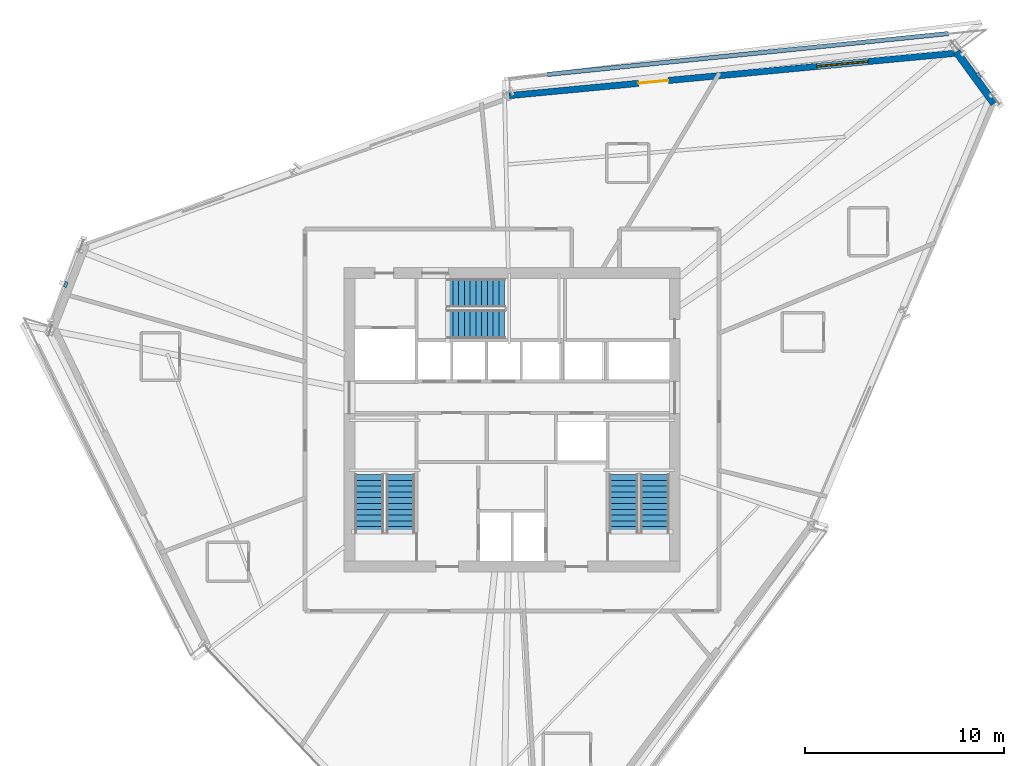
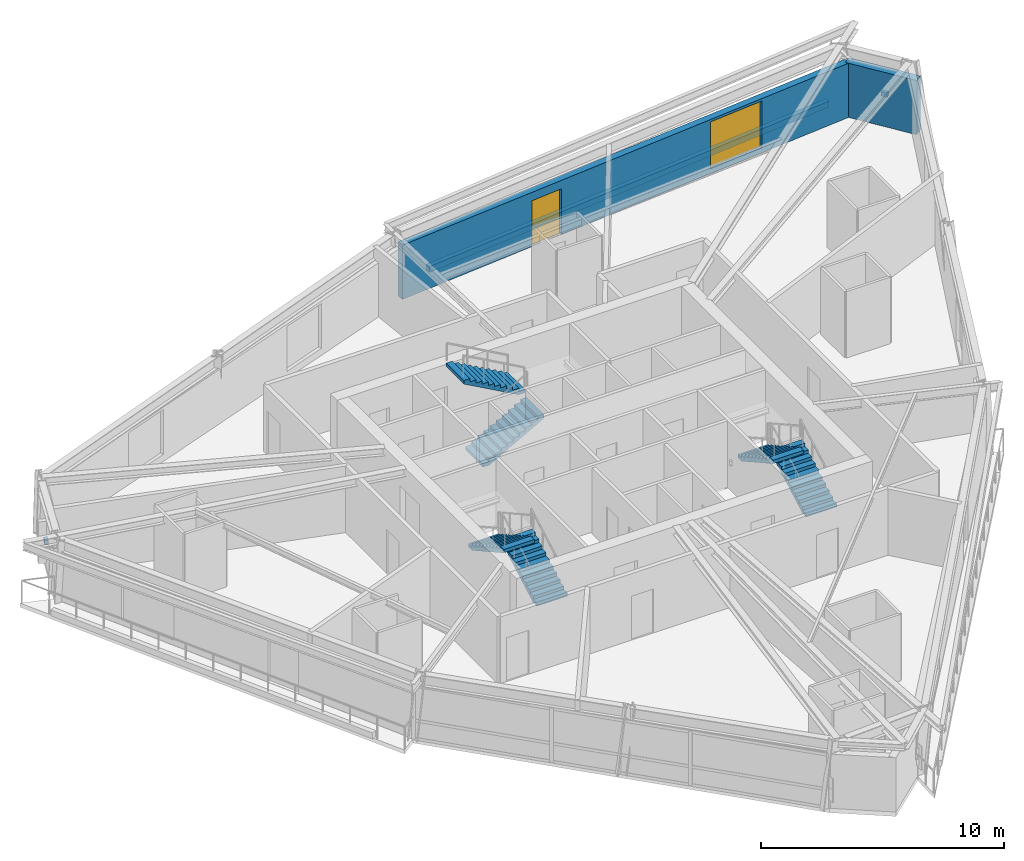
# One storey, part 11 of 14: 6 stair flights, 3 walls, 2 discrete accessories, 1 door, 1 window, 2 openings, 3 elements without a shape of their own.
"""IFC4 building model written with IfcOpenShell, lengths in metres."""

from ifc_helpers import new_model, si_unit, direction, frame, frame_2d, origin, origin_2d, place, context, subcontext, project, spatial, polyline, rectangle, outline, extrude, source, transform, mapped, material, layer, layer_set, type_object, type_shapes, element, fill, aggregate, save


model = new_model("IFC4")

# Units and contexts
model_context = context("Model", 3, precision=1e-05, world=origin(), true_north=direction((0.0, 1.0)))
body_context = subcontext(model_context, "Body", "Model", "MODEL_VIEW")
ifc_project = project(units=[si_unit("LENGTHUNIT", "METRE"), si_unit("AREAUNIT", "SQUARE_METRE"), si_unit("VOLUMEUNIT", "CUBIC_METRE"), si_unit("PLANEANGLEUNIT", "RADIAN"), si_unit("MASSUNIT", "GRAM", prefix="KILO")], contexts=[model_context])

# Site, building, storey
site_placement = place(None, origin())
site = spatial("IfcSite", under=ifc_project, at=site_placement, CompositionType="ELEMENT")
building_placement = place(site_placement, origin())
building = spatial("IfcBuilding", under=site, at=building_placement, Name="Olszyna Solenne Hotel", CompositionType="ELEMENT")
storey_placement = place(building_placement, frame((0.0, 0.0, 182.10009765625)))
storey = spatial("IfcBuildingStorey", under=building, at=storey_placement, Name="L48", CompositionType="ELEMENT", Elevation=182.10009765625)

# Wall, openings, door, window
ifc_material_1 = material(Name="Precast concrete C45/55", Category="concrete")
ifc_layer_1 = layer(ifc_material_1, 0.320068359375, Name="Precast concrete C45/55")
ifc_layer_set_1 = layer_set([ifc_layer_1], Name="Precast concrete C45/55")
wall_type_1 = type_object("IfcWallType", Name="WL-EX320", PredefinedType="SOLIDWALL", material=ifc_layer_set_1)
wall_1_placement = place(storey_placement, frame((37.856689453125, 42.898193359375, 0.0), z_axis=(0.0, 0.0, 1.0), x_axis=(0.995520332202, 0.094547703155, 0.0)))
wall_1 = element("IfcWall", 1, at=wall_1_placement, inside=storey, type_object=wall_type_1, Name="Exterior terracotta-precast frame wall WL-EX320 EW-L48-08", PredefinedType="SOLIDWALL", context=body_context, shape_type="SweptSolid", body=[
    extrude(rectangle(XDim=22.743896484375, YDim=0.320068359375, at=frame_2d((11.3720703125, 0.0))), origin(), (0.0, 0.0, 1.0), 2.721923828125),
])
opening_1_placement = place(wall_1_placement, frame((6.528076171875, 0.0, 0.0)))
opening_1 = element("IfcOpeningElement", 2, at=opening_1_placement, cuts=wall_1, Name="Opening LDG-L48-1", PredefinedType="OPENING", context=body_context, shape_type="SweptSolid", body=[
    extrude(rectangle(XDim=1.5, YDim=2.300048828125, at=frame_2d((0.75, 1.14990234375))), frame((0.0, 0.169921875, 0.0), z_axis=(0.0, -1.0, 0.0), x_axis=(1.0, 0.0, 0.0)), (0.0, 0.0, 1.0), 0.340087890625),
])
opening_2_placement = place(wall_1_placement, frame((15.531005859375, 0.0, 0.251953125)))
opening_2 = element("IfcOpeningElement", 3, at=opening_2_placement, cuts=wall_1, Name="Opening WN-L48-305", PredefinedType="OPENING", context=body_context, shape_type="SweptSolid", body=[
    extrude(rectangle(XDim=2.60009765625, YDim=2.35009765625, at=frame_2d((1.300048828125, 1.175048828125))), frame((0.0, 0.169921875, 0.0), z_axis=(0.0, -1.0, 0.0), x_axis=(1.0, 0.0, 0.0)), (0.0, 0.0, 1.0), 0.340087890625),
])
ifc_material_2 = material(Name="Anodised bronze aluminium", Category="aluminium")
door_type = type_object("IfcDoorType", Name="DR-LG2", OperationType="DOUBLE_DOOR_SINGLE_SWING", PredefinedType="DOOR", material=ifc_material_2)
shared_shape_1 = source(origin(), body_context, "Body", "SweptSolid", [
    extrude(rectangle(XDim=1.5, YDim=2.300048828125, at=frame_2d((0.75, 1.14990234375))), frame((0.0, 0.02490234375, 0.0), z_axis=(0.0, -1.0, 0.0), x_axis=(1.0, 0.0, 0.0)), (0.0, 0.0, 1.0), 0.050048828125),
])
type_shapes(door_type, [shared_shape_1])
door_placement = place(opening_1_placement, origin())
door = element("IfcDoor", 4, at=door_placement, inside=storey, type_object=door_type, Name="Exterior loggia balcony door DR-LG2 LDG-L48-1", OperationType="DOUBLE_DOOR_SINGLE_SWING", OverallHeight=2.300048828125, OverallWidth=1.5, PredefinedType="DOOR", context=body_context, shape_type="MappedRepresentation", body=[
    mapped(shared_shape_1, transform((0.0, 0.0, 0.0), x_axis=(1.0, 0.0, 0.0), y_axis=(0.0, 1.0, 0.0), z_axis=(0.0, 0.0, 1.0), scale=1.0)),
])
fill(opening_1, door)
ifc_material_3 = material(Name="Low-E triple glazing", Category="glass")
window_type = type_object("IfcWindowType", Name="WN-ST1", PartitioningType="SINGLE_PANEL", PredefinedType="WINDOW", material=ifc_material_3)
shared_shape_2 = source(origin(), body_context, "Body", "SweptSolid", [
    extrude(rectangle(XDim=2.60009765625, YDim=2.35009765625, at=frame_2d((1.300048828125, 1.175048828125))), frame((0.0, 0.030029296875, 0.0), z_axis=(0.0, -1.0, 0.0), x_axis=(1.0, 0.0, 0.0)), (0.0, 0.0, 1.0), 0.06005859375),
])
type_shapes(window_type, [shared_shape_2])
window_placement = place(opening_2_placement, origin())
window = element("IfcWindow", 5, at=window_placement, inside=storey, type_object=window_type, Name="Loggia room window WN-ST1 WN-L48-305", OverallHeight=2.35009765625, OverallWidth=2.60009765625, PartitioningType="SINGLE_PANEL", PredefinedType="WINDOW", context=body_context, shape_type="MappedRepresentation", body=[
    mapped(shared_shape_2, transform((0.0, 0.0, 0.0), x_axis=(1.0, 0.0, 0.0), y_axis=(0.0, 1.0, 0.0), z_axis=(0.0, 0.0, 1.0), scale=1.0)),
])
fill(opening_2, window)

# Walls
ifc_material_4 = material(Name="Terracotta cladding on precast concrete C45/55", Category="masonry")
ifc_layer_2 = layer(ifc_material_4, 0.3798828125, Name="Terracotta cladding on precast concrete C45/55")
ifc_layer_set_2 = layer_set([ifc_layer_2], Name="Terracotta cladding on precast concrete C45/55")
wall_type_2 = type_object("IfcWallType", Name="WL-EX380", PredefinedType="SOLIDWALL", material=ifc_layer_set_2)
wall_2_placement = place(storey_placement, frame((60.330322265625, 45.095947265625, 0.0), z_axis=(0.0, 0.0, 1.0), x_axis=(0.589877559106, -0.807492702917, 0.0)))
element("IfcWall", 6, at=wall_2_placement, inside=storey, type_object=wall_type_2, Name="Exterior terracotta-precast frame wall WL-EX380 EW-L48-09", PredefinedType="SOLIDWALL", context=body_context, shape_type="SweptSolid", body=[
    extrude(rectangle(XDim=3.214111328125, YDim=0.3798828125, at=frame_2d((1.60693359375, 0.0))), origin(), (0.0, 0.0, 1.0), 2.721923828125),
])
ifc_layer_3 = layer(ifc_material_1, 0.219970703125, Name="Precast concrete C45/55")
ifc_layer_set_3 = layer_set([ifc_layer_3], Name="Precast concrete C45/55")
wall_type_3 = type_object("IfcWallType", Name="WL-PR220", PredefinedType="PARAPET", material=ifc_layer_set_3)
wall_3_placement = place(storey_placement, frame((59.926513671875, 46.016845703125, 0.0), z_axis=(0.0, 0.0, 1.0), x_axis=(-0.994838142645, -0.101474479251, 0.0)))
element("IfcWall", 7, at=wall_3_placement, inside=storey, type_object=wall_type_3, Name="Loggia balcony precast kerb PR-L48-LG1", PredefinedType="PARAPET", context=body_context, shape_type="SweptSolid", body=[
    extrude(rectangle(XDim=20.248291015625, YDim=0.219970703125, at=frame_2d((10.1240234375, 0.0))), origin(), (0.0, 0.0, 1.0), 0.2998046875),
])

# Stair, stair flights
ifc_material_5 = material(Name="Concrete C40/50", Category="concrete")
stair_type = type_object("IfcStairType", Name="STR-C1", PredefinedType="TWO_QUARTER_WINDING_STAIR", material=ifc_material_5)
stair_1_placement = place(storey_placement, origin())
stair_1 = element("IfcStair", 8, at=stair_1_placement, inside=storey, type_object=stair_type, Name="L48 ST1", PredefinedType="TWO_QUARTER_WINDING_STAIR")
stair_flight_type = type_object("IfcStairFlightType", Name="FLT-C1", PredefinedType="STRAIGHT", material=ifc_material_5)
stair_flight_1_placement = place(storey_placement, frame((32.39501953125, 20.949951171875, 0.0), z_axis=(0.0, 0.0, 1.0), x_axis=(0.0, 1.0, 0.0)))
stair_flight_1 = element("IfcStairFlight", 9, at=stair_flight_1_placement, type_object=stair_flight_type, Name="ST1 flight 1", NumberOfRisers=11, NumberOfTreads=10, PredefinedType="STRAIGHT", RiserHeight=0.161363636, TreadLength=0.29, context=body_context, shape_type="SweptSolid", body=[
    extrude(outline(polyline([(0.0, 0.0), (0.0, 0.161376953125), (0.2900390625, 0.161376953125), (0.2900390625, 0.32275390625), (0.580078125, 0.32275390625), (0.580078125, 0.484130859375), (0.8701171875, 0.484130859375), (0.8701171875, 0.6455078125), (1.159912109375, 0.6455078125), (1.159912109375, 0.806884765625), (1.449951171875, 0.806884765625), (1.449951171875, 0.96826171875), (1.739990234375, 0.96826171875), (1.739990234375, 1.129638671875), (2.030029296875, 1.129638671875), (2.030029296875, 1.291015625), (2.320068359375, 1.291015625), (2.320068359375, 1.452392578125), (2.610107421875, 1.452392578125), (2.610107421875, 1.613525390625), (2.89990234375, 1.613525390625), (2.89990234375, 1.77490234375), (2.89990234375, 1.442138671875), (0.308349609375, 0.0), (0.0, 0.0)])), frame((0.0, 0.72509765625, 0.0), z_axis=(0.0, -1.0, 0.0), x_axis=(1.0, 0.0, 0.0)), (0.0, 0.0, 1.0), 1.449951171875),
])
stair_flight_2_placement = place(storey_placement, frame((30.824951171875, 23.85009765625, 1.77490234375), z_axis=(0.0, 0.0, 1.0), x_axis=(0.0, -1.0, 0.0)))
stair_flight_2 = element("IfcStairFlight", 10, at=stair_flight_2_placement, type_object=stair_flight_type, Name="ST1 flight 2", NumberOfRisers=11, NumberOfTreads=10, PredefinedType="STRAIGHT", RiserHeight=0.161363636, TreadLength=0.29, context=body_context, shape_type="SweptSolid", body=[
    extrude(outline(polyline([(0.0, 0.0), (0.0, 0.161376953125), (0.2900390625, 0.161376953125), (0.2900390625, 0.32275390625), (0.580078125, 0.32275390625), (0.580078125, 0.484130859375), (0.8701171875, 0.484130859375), (0.8701171875, 0.6455078125), (1.159912109375, 0.6455078125), (1.159912109375, 0.806884765625), (1.449951171875, 0.806884765625), (1.449951171875, 0.96826171875), (1.739990234375, 0.96826171875), (1.739990234375, 1.129638671875), (2.030029296875, 1.129638671875), (2.030029296875, 1.291015625), (2.320068359375, 1.291015625), (2.320068359375, 1.452392578125), (2.610107421875, 1.452392578125), (2.610107421875, 1.613525390625), (2.89990234375, 1.613525390625), (2.89990234375, 1.77490234375), (2.89990234375, 1.442138671875), (0.308349609375, 0.0), (0.0, 0.0)])), frame((0.0, 0.72509765625, 0.0), z_axis=(0.0, -1.0, 0.0), x_axis=(1.0, 0.0, 0.0)), (0.0, 0.0, 1.0), 1.449951171875),
])
aggregate(stair_1, [stair_flight_1, stair_flight_2])

stair_2_placement = place(storey_placement, origin())
stair_2 = element("IfcStair", 11, at=stair_2_placement, inside=storey, type_object=stair_type, Name="L48 ST2", PredefinedType="TWO_QUARTER_WINDING_STAIR")
stair_flight_3_placement = place(storey_placement, frame((45.175048828125, 20.949951171875, 0.0), z_axis=(0.0, 0.0, 1.0), x_axis=(0.0, 1.0, 0.0)))
stair_flight_3 = element("IfcStairFlight", 12, at=stair_flight_3_placement, type_object=stair_flight_type, Name="ST2 flight 1", NumberOfRisers=11, NumberOfTreads=10, PredefinedType="STRAIGHT", RiserHeight=0.161363636, TreadLength=0.29, context=body_context, shape_type="SweptSolid", body=[
    extrude(outline(polyline([(0.0, 0.0), (0.0, 0.161376953125), (0.2900390625, 0.161376953125), (0.2900390625, 0.32275390625), (0.580078125, 0.32275390625), (0.580078125, 0.484130859375), (0.8701171875, 0.484130859375), (0.8701171875, 0.6455078125), (1.159912109375, 0.6455078125), (1.159912109375, 0.806884765625), (1.449951171875, 0.806884765625), (1.449951171875, 0.96826171875), (1.739990234375, 0.96826171875), (1.739990234375, 1.129638671875), (2.030029296875, 1.129638671875), (2.030029296875, 1.291015625), (2.320068359375, 1.291015625), (2.320068359375, 1.452392578125), (2.610107421875, 1.452392578125), (2.610107421875, 1.613525390625), (2.89990234375, 1.613525390625), (2.89990234375, 1.77490234375), (2.89990234375, 1.442138671875), (0.308349609375, 0.0), (0.0, 0.0)])), frame((0.0, 0.72509765625, 0.0), z_axis=(0.0, -1.0, 0.0), x_axis=(1.0, 0.0, 0.0)), (0.0, 0.0, 1.0), 1.449951171875),
])
stair_flight_4_placement = place(storey_placement, frame((43.60498046875, 23.85009765625, 1.77490234375), z_axis=(0.0, 0.0, 1.0), x_axis=(0.0, -1.0, 0.0)))
stair_flight_4 = element("IfcStairFlight", 13, at=stair_flight_4_placement, type_object=stair_flight_type, Name="ST2 flight 2", NumberOfRisers=11, NumberOfTreads=10, PredefinedType="STRAIGHT", RiserHeight=0.161363636, TreadLength=0.29, context=body_context, shape_type="SweptSolid", body=[
    extrude(outline(polyline([(0.0, 0.0), (0.0, 0.161376953125), (0.2900390625, 0.161376953125), (0.2900390625, 0.32275390625), (0.580078125, 0.32275390625), (0.580078125, 0.484130859375), (0.8701171875, 0.484130859375), (0.8701171875, 0.6455078125), (1.159912109375, 0.6455078125), (1.159912109375, 0.806884765625), (1.449951171875, 0.806884765625), (1.449951171875, 0.96826171875), (1.739990234375, 0.96826171875), (1.739990234375, 1.129638671875), (2.030029296875, 1.129638671875), (2.030029296875, 1.291015625), (2.320068359375, 1.291015625), (2.320068359375, 1.452392578125), (2.610107421875, 1.452392578125), (2.610107421875, 1.613525390625), (2.89990234375, 1.613525390625), (2.89990234375, 1.77490234375), (2.89990234375, 1.442138671875), (0.308349609375, 0.0), (0.0, 0.0)])), frame((0.0, 0.72509765625, 0.0), z_axis=(0.0, -1.0, 0.0), x_axis=(1.0, 0.0, 0.0)), (0.0, 0.0, 1.0), 1.449951171875),
])
aggregate(stair_2, [stair_flight_3, stair_flight_4])

stair_3_placement = place(storey_placement, origin())
stair_3 = element("IfcStair", 14, at=stair_3_placement, inside=storey, type_object=stair_type, Name="L48 ST3", PredefinedType="TWO_QUARTER_WINDING_STAIR")
stair_flight_5_placement = place(storey_placement, frame((34.72998046875, 31.405029296875, 0.0), z_axis=(0.0, 0.0, 1.0), x_axis=(1.0, 0.0, 0.0)))
stair_flight_5 = element("IfcStairFlight", 15, at=stair_flight_5_placement, type_object=stair_flight_type, Name="ST3 flight 1", NumberOfRisers=11, NumberOfTreads=10, PredefinedType="STRAIGHT", RiserHeight=0.161363636, TreadLength=0.29, context=body_context, shape_type="SweptSolid", body=[
    extrude(outline(polyline([(0.0, 0.0), (0.0, 0.161376953125), (0.2900390625, 0.161376953125), (0.2900390625, 0.32275390625), (0.580078125, 0.32275390625), (0.580078125, 0.484130859375), (0.8701171875, 0.484130859375), (0.8701171875, 0.6455078125), (1.159912109375, 0.6455078125), (1.159912109375, 0.806884765625), (1.449951171875, 0.806884765625), (1.449951171875, 0.96826171875), (1.739990234375, 0.96826171875), (1.739990234375, 1.129638671875), (2.030029296875, 1.129638671875), (2.030029296875, 1.291015625), (2.320068359375, 1.291015625), (2.320068359375, 1.452392578125), (2.610107421875, 1.452392578125), (2.610107421875, 1.613525390625), (2.89990234375, 1.613525390625), (2.89990234375, 1.77490234375), (2.89990234375, 1.442138671875), (0.308349609375, 0.0), (0.0, 0.0)])), frame((0.0, 0.72509765625, 0.0), z_axis=(0.0, -1.0, 0.0), x_axis=(1.0, 0.0, 0.0)), (0.0, 0.0, 1.0), 1.449951171875),
])
stair_flight_6_placement = place(storey_placement, frame((37.6298828125, 32.97509765625, 1.77490234375), z_axis=(0.0, 0.0, 1.0), x_axis=(-1.0, 0.0, 0.0)))
stair_flight_6 = element("IfcStairFlight", 16, at=stair_flight_6_placement, type_object=stair_flight_type, Name="ST3 flight 2", NumberOfRisers=11, NumberOfTreads=10, PredefinedType="STRAIGHT", RiserHeight=0.161363636, TreadLength=0.29, context=body_context, shape_type="SweptSolid", body=[
    extrude(outline(polyline([(0.0, 0.0), (0.0, 0.161376953125), (0.2900390625, 0.161376953125), (0.2900390625, 0.32275390625), (0.580078125, 0.32275390625), (0.580078125, 0.484130859375), (0.8701171875, 0.484130859375), (0.8701171875, 0.6455078125), (1.159912109375, 0.6455078125), (1.159912109375, 0.806884765625), (1.449951171875, 0.806884765625), (1.449951171875, 0.96826171875), (1.739990234375, 0.96826171875), (1.739990234375, 1.129638671875), (2.030029296875, 1.129638671875), (2.030029296875, 1.291015625), (2.320068359375, 1.291015625), (2.320068359375, 1.452392578125), (2.610107421875, 1.452392578125), (2.610107421875, 1.613525390625), (2.89990234375, 1.613525390625), (2.89990234375, 1.77490234375), (2.89990234375, 1.442138671875), (0.308349609375, 0.0), (0.0, 0.0)])), frame((0.0, 0.72509765625, 0.0), z_axis=(0.0, -1.0, 0.0), x_axis=(1.0, 0.0, 0.0)), (0.0, 0.0, 1.0), 1.449951171875),
])
aggregate(stair_3, [stair_flight_5, stair_flight_6])

# Discrete accessories
ifc_material_6 = material(Name="Steel S355J2", Category="steel")
discrete_accessory_type = type_object("IfcDiscreteAccessoryType", Name="BRK-01", PredefinedType="BRACKET", material=ifc_material_6)
shared_shape_3 = source(origin(), body_context, "Body", "SweptSolid", [
    extrude(rectangle(XDim=0.280029296875, YDim=0.159912109375, at=origin_2d()), origin(), (0.0, 0.0, 1.0), 0.219970703125),
])
for number, where, z_axis, x_axis, name in (
    (17, (15.572998046875, 33.40380859375, 1.2509765625), (0.0, 0.0, 1.0), (0.364876784338, 0.931055815863, 0.0), "Facade support bracket BRK-FN-L48-06"),
    (18, (61.44384765625, 43.919189453125, 1.2509765625), (0.0, 0.0, 1.0), (0.589901237104, -0.807475405485, 0.0), "Facade support bracket BRK-FN-L48-09"),
):
    element("IfcDiscreteAccessory", number, at=place(storey_placement, frame(where, z_axis=z_axis, x_axis=x_axis)), inside=storey, type_object=discrete_accessory_type, Name=name, PredefinedType="BRACKET", context=body_context, shape_type="MappedRepresentation", body=[
        mapped(shared_shape_3, transform((0.0, 0.0, 0.0), x_axis=(1.0, 0.0, 0.0), y_axis=(0.0, 1.0, 0.0), z_axis=(0.0, 0.0, 1.0), scale=1.0)),
    ])

save(model, "model.ifc")
